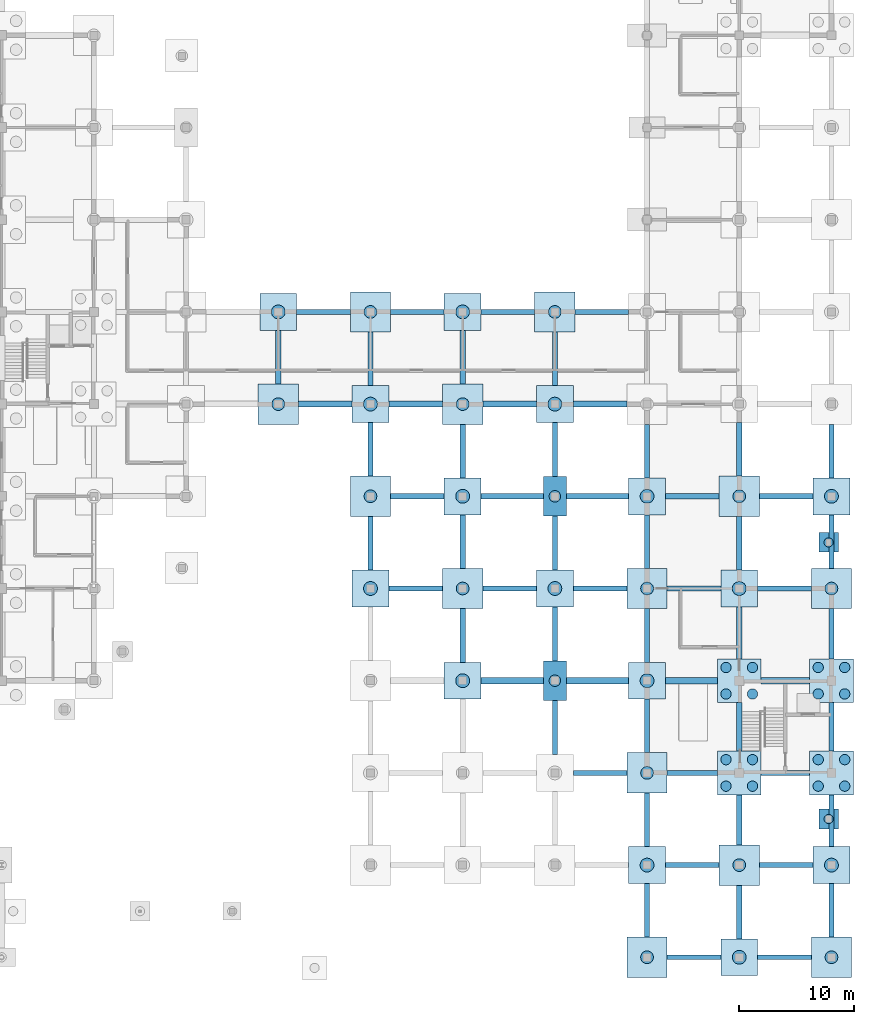
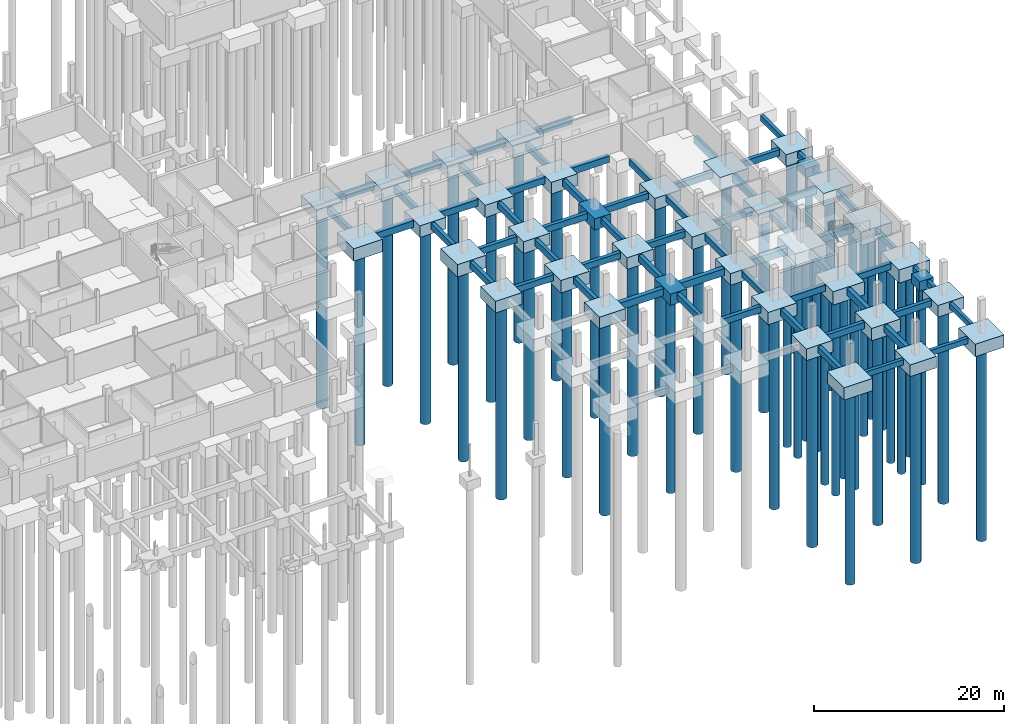
# One storey, part 9 of 48: 96 footings, 48 piles.
"""IFC4 building model written with IfcOpenShell, lengths in metres."""

from ifc_helpers import new_model, si_unit, derived_unit, direction, frame, origin, origin_2d, place, context, subcontext, project, spatial, rectangle, circle, extrude, material, material_profile, profile_set, type_object, element, save


model = new_model("IFC4")

# Units and contexts
model_context = context("Model", 3, precision=1e-05, world=origin(), true_north=direction((0.0, 1.0)))
body_context = subcontext(model_context, "Body", "Model", "MODEL_VIEW")
ifc_project = project(units=[si_unit("LENGTHUNIT", "METRE"), si_unit("AREAUNIT", "SQUARE_METRE"), si_unit("VOLUMEUNIT", "CUBIC_METRE"), si_unit("PLANEANGLEUNIT", "RADIAN"), si_unit("MASSUNIT", "GRAM", prefix="KILO"), derived_unit("THERMALTRANSMITTANCEUNIT", [(si_unit("MASSUNIT", "GRAM", prefix="KILO"), 1), (si_unit("TIMEUNIT", "SECOND"), -3), (si_unit("THERMODYNAMICTEMPERATUREUNIT", "KELVIN"), -1)])], contexts=[model_context])

# Site, building, storey
site_placement = place(None, origin())
site = spatial("IfcSite", under=ifc_project, at=site_placement, CompositionType="ELEMENT")
building_placement = place(site_placement, origin())
building = spatial("IfcBuilding", under=site, at=building_placement, Name="Veyamyaing Civic Hall", CompositionType="ELEMENT")
storey_placement = place(building_placement, frame((0.0, 0.0, -4.2900390625)))
storey = spatial("IfcBuildingStorey", under=building, at=storey_placement, Name="B1", CompositionType="ELEMENT", Elevation=-4.2900390625)

# Footings
ifc_material_1 = material(Name="Concrete C40/50", Category="concrete")
ifc_material_profile_1 = material_profile(ifc_material_1, rectangle(XDim=0.5, YDim=0.85009765625, at=origin_2d()), Name="GB-500X850")
ifc_profile_set_1 = profile_set([ifc_material_profile_1], Name="Concrete C40/50")
footing_type_1 = type_object("IfcFootingType", Name="GB-01", PredefinedType="FOOTING_BEAM", material=ifc_profile_set_1)
for number, where, z_axis, x_axis, name in (
    (1, (129.75, 48.0, -0.574951171875), (1.0, 0.0, 0.0), (0.0, 1.0, 0.0), "Footing tie beam GB-01 X 16-6"),
    (2, (137.60009765625, 48.0, -0.574951171875), (1.0, 0.0, 0.0), (0.0, 1.0, 0.0), "Footing tie beam GB-01 X 17-6"),
    (3, (145.75, 48.0, -0.574951171875), (1.0, 0.0, 0.0), (0.0, 1.0, 0.0), "Footing tie beam GB-01 X 18-6"),
    (4, (153.60009765625, 48.0, -0.574951171875), (1.0, 0.0, 0.0), (0.0, 1.0, 0.0), "Footing tie beam GB-01 X 19-6"),
    (5, (168.0, 1.60009765625, -0.574951171875), (0.0, 1.0, 0.0), (-1.0, 0.0, 0.0), "Footing tie beam GB-01 Y 21-0"),
):
    element("IfcFooting", number, at=place(storey_placement, frame(where, z_axis=z_axis, x_axis=x_axis)), inside=storey, type_object=footing_type_1, Name=name, PredefinedType="FOOTING_BEAM", context=body_context, shape_type="SweptSolid", body=[
        extrude(rectangle(XDim=0.5, YDim=0.85009765625, at=origin_2d()), origin(), (0.0, 0.0, 1.0), 4.64990234375),
    ])
footing_1_placement = place(storey_placement, frame((168.0, 9.75, -0.574951171875), z_axis=(0.0, 1.0, 0.0), x_axis=(-1.0, 0.0, 0.0)))
element("IfcFooting", 6, at=footing_1_placement, inside=storey, type_object=footing_type_1, Name="Footing tie beam GB-01 Y 21-1", PredefinedType="FOOTING_BEAM", context=body_context, shape_type="SweptSolid", body=[
    extrude(rectangle(XDim=0.5, YDim=0.85009765625, at=origin_2d()), origin(), (0.0, 0.0, 1.0), 4.35009765625),
])
footing_2_placement = place(storey_placement, frame((168.0, 17.89990234375, -0.574951171875), z_axis=(0.0, 1.0, 0.0), x_axis=(-1.0, 0.0, 0.0)))
element("IfcFooting", 7, at=footing_2_placement, inside=storey, type_object=footing_type_1, Name="Footing tie beam GB-01 Y 21-2", PredefinedType="FOOTING_BEAM", context=body_context, shape_type="SweptSolid", body=[
    extrude(rectangle(XDim=0.5, YDim=0.85009765625, at=origin_2d()), origin(), (0.0, 0.0, 1.0), 4.2001953125),
])
footing_3_placement = place(storey_placement, frame((168.0, 25.89990234375, -0.574951171875), z_axis=(0.0, 1.0, 0.0), x_axis=(-1.0, 0.0, 0.0)))
element("IfcFooting", 8, at=footing_3_placement, inside=storey, type_object=footing_type_1, Name="Footing tie beam GB-01 Y 21-3", PredefinedType="FOOTING_BEAM", context=body_context, shape_type="SweptSolid", body=[
    extrude(rectangle(XDim=0.5, YDim=0.85009765625, at=origin_2d()), origin(), (0.0, 0.0, 1.0), 4.5),
])
for number, where, z_axis, x_axis, name in (
    (9, (168.0, 33.60009765625, -0.574951171875), (0.0, 1.0, 0.0), (-1.0, 0.0, 0.0), "Footing tie beam GB-01 Y 21-4"),
    (10, (168.0, 41.75, -0.574951171875), (0.0, 1.0, 0.0), (-1.0, 0.0, 0.0), "Footing tie beam GB-01 Y 21-5"),
):
    element("IfcFooting", number, at=place(storey_placement, frame(where, z_axis=z_axis, x_axis=x_axis)), inside=storey, type_object=footing_type_1, Name=name, PredefinedType="FOOTING_BEAM", context=body_context, shape_type="SweptSolid", body=[
        extrude(rectangle(XDim=0.5, YDim=0.85009765625, at=origin_2d()), origin(), (0.0, 0.0, 1.0), 4.64990234375),
    ])
ifc_material_profile_2 = material_profile(ifc_material_1, rectangle(XDim=0.449951171875, YDim=0.800048828125, at=origin_2d()), Name="GB-450X800")
ifc_profile_set_2 = profile_set([ifc_material_profile_2], Name="Concrete C40/50")
footing_type_2 = type_object("IfcFootingType", Name="GB-02", PredefinedType="FOOTING_BEAM", material=ifc_profile_set_2)
for number, where, z_axis, x_axis, name in (
    (11, (128.0, 49.75, -0.550048828125), (0.0, 1.0, 0.0), (-1.0, 0.0, 0.0), "Footing tie beam GB-02 Y 16-6"),
    (12, (129.60009765625, 56.0, -0.550048828125), (1.0, 0.0, 0.0), (0.0, 1.0, 0.0), "Footing tie beam GB-02 X 16-7"),
    (13, (137.60009765625, 32.0, -0.550048828125), (1.0, 0.0, 0.0), (0.0, 1.0, 0.0), "Footing tie beam GB-02 X 17-4"),
    (14, (136.0, 33.60009765625, -0.550048828125), (0.0, 1.0, 0.0), (-1.0, 0.0, 0.0), "Footing tie beam GB-02 Y 17-4"),
    (15, (137.75, 40.0, -0.550048828125), (1.0, 0.0, 0.0), (0.0, 1.0, 0.0), "Footing tie beam GB-02 X 17-5"),
    (16, (136.0, 41.75, -0.550048828125), (0.0, 1.0, 0.0), (-1.0, 0.0, 0.0), "Footing tie beam GB-02 Y 17-5"),
    (17, (136.0, 49.60009765625, -0.550048828125), (0.0, 1.0, 0.0), (-1.0, 0.0, 0.0), "Footing tie beam GB-02 Y 17-6"),
    (18, (137.75, 56.0, -0.550048828125), (1.0, 0.0, 0.0), (0.0, 1.0, 0.0), "Footing tie beam GB-02 X 17-7"),
    (19, (144.0, 25.60009765625, -0.550048828125), (0.0, 1.0, 0.0), (-1.0, 0.0, 0.0), "Footing tie beam GB-02 Y 18-3"),
    (20, (145.75, 32.0, -0.550048828125), (1.0, 0.0, 0.0), (0.0, 1.0, 0.0), "Footing tie beam GB-02 X 18-4"),
    (21, (144.0, 33.75, -0.550048828125), (0.0, 1.0, 0.0), (-1.0, 0.0, 0.0), "Footing tie beam GB-02 Y 18-4"),
):
    element("IfcFooting", number, at=place(storey_placement, frame(where, z_axis=z_axis, x_axis=x_axis)), inside=storey, type_object=footing_type_2, Name=name, PredefinedType="FOOTING_BEAM", context=body_context, shape_type="SweptSolid", body=[
        extrude(rectangle(XDim=0.449951171875, YDim=0.800048828125, at=origin_2d()), origin(), (0.0, 0.0, 1.0), 4.64990234375),
    ])
footing_4_placement = place(storey_placement, frame((145.60009765625, 40.0, -0.550048828125), z_axis=(1.0, 0.0, 0.0), x_axis=(0.0, 1.0, 0.0)))
element("IfcFooting", 22, at=footing_4_placement, inside=storey, type_object=footing_type_2, Name="Footing tie beam GB-02 X 18-5", PredefinedType="FOOTING_BEAM", context=body_context, shape_type="SweptSolid", body=[
    extrude(rectangle(XDim=0.449951171875, YDim=0.800048828125, at=origin_2d()), origin(), (0.0, 0.0, 1.0), 5.39990234375),
])
for number, where, z_axis, x_axis, name in (
    (23, (144.0, 41.60009765625, -0.550048828125), (0.0, 1.0, 0.0), (-1.0, 0.0, 0.0), "Footing tie beam GB-02 Y 18-5"),
    (24, (144.0, 49.75, -0.550048828125), (0.0, 1.0, 0.0), (-1.0, 0.0, 0.0), "Footing tie beam GB-02 Y 18-6"),
    (25, (145.60009765625, 56.0, -0.550048828125), (1.0, 0.0, 0.0), (0.0, 1.0, 0.0), "Footing tie beam GB-02 X 18-7"),
    (26, (153.60009765625, 16.0, -0.550048828125), (1.0, 0.0, 0.0), (0.0, 1.0, 0.0), "Footing tie beam GB-02 X 19-2"),
):
    element("IfcFooting", number, at=place(storey_placement, frame(where, z_axis=z_axis, x_axis=x_axis)), inside=storey, type_object=footing_type_2, Name=name, PredefinedType="FOOTING_BEAM", context=body_context, shape_type="SweptSolid", body=[
        extrude(rectangle(XDim=0.449951171875, YDim=0.800048828125, at=origin_2d()), origin(), (0.0, 0.0, 1.0), 4.64990234375),
    ])
for number, where, z_axis, x_axis, name in (
    (27, (152.0, 17.60009765625, -0.550048828125), (0.0, 1.0, 0.0), (-1.0, 0.0, 0.0), "Footing tie beam GB-02 Y 19-2"),
    (28, (152.0, 25.699951171875, -0.550048828125), (0.0, 1.0, 0.0), (-1.0, 0.0, 0.0), "Footing tie beam GB-02 Y 19-3"),
):
    element("IfcFooting", number, at=place(storey_placement, frame(where, z_axis=z_axis, x_axis=x_axis)), inside=storey, type_object=footing_type_2, Name=name, PredefinedType="FOOTING_BEAM", context=body_context, shape_type="SweptSolid", body=[
        extrude(rectangle(XDim=0.449951171875, YDim=0.800048828125, at=origin_2d()), origin(), (0.0, 0.0, 1.0), 4.699951171875),
    ])
footing_5_placement = place(storey_placement, frame((153.60009765625, 32.0, -0.550048828125), z_axis=(1.0, 0.0, 0.0), x_axis=(0.0, 1.0, 0.0)))
element("IfcFooting", 29, at=footing_5_placement, inside=storey, type_object=footing_type_2, Name="Footing tie beam GB-02 X 19-4", PredefinedType="FOOTING_BEAM", context=body_context, shape_type="SweptSolid", body=[
    extrude(rectangle(XDim=0.449951171875, YDim=0.800048828125, at=origin_2d()), origin(), (0.0, 0.0, 1.0), 4.64990234375),
])
footing_6_placement = place(storey_placement, frame((152.0, 33.60009765625, -0.550048828125), z_axis=(0.0, 1.0, 0.0), x_axis=(-1.0, 0.0, 0.0)))
element("IfcFooting", 30, at=footing_6_placement, inside=storey, type_object=footing_type_2, Name="Footing tie beam GB-02 Y 19-4", PredefinedType="FOOTING_BEAM", context=body_context, shape_type="SweptSolid", body=[
    extrude(rectangle(XDim=0.449951171875, YDim=0.800048828125, at=origin_2d()), origin(), (0.0, 0.0, 1.0), 4.699951171875),
])
footing_7_placement = place(storey_placement, frame((153.0, 40.0, -0.550048828125), z_axis=(1.0, 0.0, 0.0), x_axis=(0.0, 1.0, 0.0)))
element("IfcFooting", 31, at=footing_7_placement, inside=storey, type_object=footing_type_2, Name="Footing tie beam GB-02 X 19-5", PredefinedType="FOOTING_BEAM", context=body_context, shape_type="SweptSolid", body=[
    extrude(rectangle(XDim=0.449951171875, YDim=0.800048828125, at=origin_2d()), origin(), (0.0, 0.0, 1.0), 5.39990234375),
])
footing_8_placement = place(storey_placement, frame((152.0, 41.699951171875, -0.550048828125), z_axis=(0.0, 1.0, 0.0), x_axis=(-1.0, 0.0, 0.0)))
element("IfcFooting", 32, at=footing_8_placement, inside=storey, type_object=footing_type_2, Name="Footing tie beam GB-02 Y 19-5", PredefinedType="FOOTING_BEAM", context=body_context, shape_type="SweptSolid", body=[
    extrude(rectangle(XDim=0.449951171875, YDim=0.800048828125, at=origin_2d()), origin(), (0.0, 0.0, 1.0), 4.699951171875),
])
for number, where, z_axis, x_axis, name in (
    (33, (152.0, 49.60009765625, -0.550048828125), (0.0, 1.0, 0.0), (-1.0, 0.0, 0.0), "Footing tie beam GB-02 Y 19-6"),
    (34, (153.75, 56.0, -0.550048828125), (1.0, 0.0, 0.0), (0.0, 1.0, 0.0), "Footing tie beam GB-02 X 19-7"),
    (35, (160.0, 1.75, -0.550048828125), (0.0, 1.0, 0.0), (-1.0, 0.0, 0.0), "Footing tie beam GB-02 Y 20-0"),
    (36, (161.60009765625, 8.0, -0.550048828125), (1.0, 0.0, 0.0), (0.0, 1.0, 0.0), "Footing tie beam GB-02 X 20-1"),
    (37, (160.0, 9.60009765625, -0.550048828125), (0.0, 1.0, 0.0), (-1.0, 0.0, 0.0), "Footing tie beam GB-02 Y 20-1"),
):
    element("IfcFooting", number, at=place(storey_placement, frame(where, z_axis=z_axis, x_axis=x_axis)), inside=storey, type_object=footing_type_2, Name=name, PredefinedType="FOOTING_BEAM", context=body_context, shape_type="SweptSolid", body=[
        extrude(rectangle(XDim=0.449951171875, YDim=0.800048828125, at=origin_2d()), origin(), (0.0, 0.0, 1.0), 4.64990234375),
    ])
footing_9_placement = place(storey_placement, frame((161.75, 16.0, -0.550048828125), z_axis=(1.0, 0.0, 0.0), x_axis=(0.0, 1.0, 0.0)))
element("IfcFooting", 38, at=footing_9_placement, inside=storey, type_object=footing_type_2, Name="Footing tie beam GB-02 X 20-2", PredefinedType="FOOTING_BEAM", context=body_context, shape_type="SweptSolid", body=[
    extrude(rectangle(XDim=0.449951171875, YDim=0.800048828125, at=origin_2d()), origin(), (0.0, 0.0, 1.0), 4.35009765625),
])
for number, where, z_axis, x_axis, name in (
    (39, (160.0, 17.75, -0.550048828125), (0.0, 1.0, 0.0), (-1.0, 0.0, 0.0), "Footing tie beam GB-02 Y 20-2"),
    (40, (160.0, 25.60009765625, -0.550048828125), (0.0, 1.0, 0.0), (-1.0, 0.0, 0.0), "Footing tie beam GB-02 Y 20-3"),
    (41, (161.75, 32.0, -0.550048828125), (1.0, 0.0, 0.0), (0.0, 1.0, 0.0), "Footing tie beam GB-02 X 20-4"),
    (42, (160.0, 33.75, -0.550048828125), (0.0, 1.0, 0.0), (-1.0, 0.0, 0.0), "Footing tie beam GB-02 Y 20-4"),
    (43, (161.60009765625, 40.0, -0.550048828125), (1.0, 0.0, 0.0), (0.0, 1.0, 0.0), "Footing tie beam GB-02 X 20-5"),
    (44, (160.0, 41.60009765625, -0.550048828125), (0.0, 1.0, 0.0), (-1.0, 0.0, 0.0), "Footing tie beam GB-02 Y 20-5"),
    (45, (169.75, 8.0, -0.550048828125), (1.0, 0.0, 0.0), (0.0, 1.0, 0.0), "Footing tie beam GB-02 X 21-1"),
):
    element("IfcFooting", number, at=place(storey_placement, frame(where, z_axis=z_axis, x_axis=x_axis)), inside=storey, type_object=footing_type_2, Name=name, PredefinedType="FOOTING_BEAM", context=body_context, shape_type="SweptSolid", body=[
        extrude(rectangle(XDim=0.449951171875, YDim=0.800048828125, at=origin_2d()), origin(), (0.0, 0.0, 1.0), 4.64990234375),
    ])
footing_10_placement = place(storey_placement, frame((169.89990234375, 16.0, -0.550048828125), z_axis=(1.0, 0.0, 0.0), x_axis=(0.0, 1.0, 0.0)))
element("IfcFooting", 46, at=footing_10_placement, inside=storey, type_object=footing_type_2, Name="Footing tie beam GB-02 X 21-2", PredefinedType="FOOTING_BEAM", context=body_context, shape_type="SweptSolid", body=[
    extrude(rectangle(XDim=0.449951171875, YDim=0.800048828125, at=origin_2d()), origin(), (0.0, 0.0, 1.0), 4.2001953125),
])
for number, where, z_axis, x_axis, name in (
    (47, (169.60009765625, 32.0, -0.550048828125), (1.0, 0.0, 0.0), (0.0, 1.0, 0.0), "Footing tie beam GB-02 X 21-4"),
    (48, (169.75, 40.0, -0.550048828125), (1.0, 0.0, 0.0), (0.0, 1.0, 0.0), "Footing tie beam GB-02 X 21-5"),
):
    element("IfcFooting", number, at=place(storey_placement, frame(where, z_axis=z_axis, x_axis=x_axis)), inside=storey, type_object=footing_type_2, Name=name, PredefinedType="FOOTING_BEAM", context=body_context, shape_type="SweptSolid", body=[
        extrude(rectangle(XDim=0.449951171875, YDim=0.800048828125, at=origin_2d()), origin(), (0.0, 0.0, 1.0), 4.64990234375),
    ])
ifc_material_profile_3 = material_profile(ifc_material_1, rectangle(XDim=0.39990234375, YDim=0.699951171875, at=origin_2d()), Name="GB-400X700")
ifc_profile_set_3 = profile_set([ifc_material_profile_3], Name="Concrete C40/50")
footing_type_3 = type_object("IfcFootingType", Name="GB-03", PredefinedType="FOOTING_BEAM", material=ifc_profile_set_3)
for number, where, z_axis, x_axis, name in (
    (49, (161.75, 0.0, -0.5), (1.0, 0.0, 0.0), (0.0, 1.0, 0.0), "Footing tie beam GB-03 X 20-0"),
    (50, (169.60009765625, 0.0, -0.5), (1.0, 0.0, 0.0), (0.0, 1.0, 0.0), "Footing tie beam GB-03 X 21-0"),
    (51, (176.0, 1.75, -0.5), (0.0, 1.0, 0.0), (-1.0, 0.0, 0.0), "Footing tie beam GB-03 Y 22-0"),
):
    element("IfcFooting", number, at=place(storey_placement, frame(where, z_axis=z_axis, x_axis=x_axis)), inside=storey, type_object=footing_type_3, Name=name, PredefinedType="FOOTING_BEAM", context=body_context, shape_type="SweptSolid", body=[
        extrude(rectangle(XDim=0.39990234375, YDim=0.699951171875, at=origin_2d()), origin(), (0.0, 0.0, 1.0), 4.64990234375),
    ])
footing_11_placement = place(storey_placement, frame((176.0, 9.60009765625, -0.5), z_axis=(0.0, 1.0, 0.0), x_axis=(-1.0, 0.0, 0.0)))
element("IfcFooting", 52, at=footing_11_placement, inside=storey, type_object=footing_type_3, Name="Footing tie beam GB-03 Y 22-1", PredefinedType="FOOTING_BEAM", context=body_context, shape_type="SweptSolid", body=[
    extrude(rectangle(XDim=0.39990234375, YDim=0.699951171875, at=origin_2d()), origin(), (0.0, 0.0, 1.0), 4.5),
])
footing_12_placement = place(storey_placement, frame((176.0, 17.89990234375, -0.5), z_axis=(0.0, 1.0, 0.0), x_axis=(-1.0, 0.0, 0.0)))
element("IfcFooting", 53, at=footing_12_placement, inside=storey, type_object=footing_type_3, Name="Footing tie beam GB-03 Y 22-2", PredefinedType="FOOTING_BEAM", context=body_context, shape_type="SweptSolid", body=[
    extrude(rectangle(XDim=0.39990234375, YDim=0.699951171875, at=origin_2d()), origin(), (0.0, 0.0, 1.0), 4.2001953125),
])
footing_13_placement = place(storey_placement, frame((176.0, 25.89990234375, -0.5), z_axis=(0.0, 1.0, 0.0), x_axis=(-1.0, 0.0, 0.0)))
element("IfcFooting", 54, at=footing_13_placement, inside=storey, type_object=footing_type_3, Name="Footing tie beam GB-03 Y 22-3", PredefinedType="FOOTING_BEAM", context=body_context, shape_type="SweptSolid", body=[
    extrude(rectangle(XDim=0.39990234375, YDim=0.699951171875, at=origin_2d()), origin(), (0.0, 0.0, 1.0), 4.35009765625),
])
for number, where, z_axis, x_axis, name in (
    (55, (176.0, 33.75, -0.5), (0.0, 1.0, 0.0), (-1.0, 0.0, 0.0), "Footing tie beam GB-03 Y 22-4"),
    (56, (176.0, 41.60009765625, -0.5), (0.0, 1.0, 0.0), (-1.0, 0.0, 0.0), "Footing tie beam GB-03 Y 22-5"),
):
    element("IfcFooting", number, at=place(storey_placement, frame(where, z_axis=z_axis, x_axis=x_axis)), inside=storey, type_object=footing_type_3, Name=name, PredefinedType="FOOTING_BEAM", context=body_context, shape_type="SweptSolid", body=[
        extrude(rectangle(XDim=0.39990234375, YDim=0.699951171875, at=origin_2d()), origin(), (0.0, 0.0, 1.0), 4.64990234375),
    ])
ifc_material_profile_4 = material_profile(ifc_material_1, rectangle(XDim=0.550048828125, YDim=0.89990234375, at=origin_2d()), Name="GB-550X900")
ifc_profile_set_4 = profile_set([ifc_material_profile_4], Name="Concrete C40/50")
footing_type_4 = type_object("IfcFootingType", Name="GB-04", PredefinedType="FOOTING_BEAM", material=ifc_profile_set_4)
for number, where, z_axis, x_axis, name in (
    (57, (145.60009765625, 24.0, -0.599853515625), (1.0, 0.0, 0.0), (0.0, 1.0, 0.0), "Footing tie beam GB-04 X 18-3"),
    (58, (153.0, 24.0, -0.599853515625), (1.0, 0.0, 0.0), (0.0, 1.0, 0.0), "Footing tie beam GB-04 X 19-3"),
):
    element("IfcFooting", number, at=place(storey_placement, frame(where, z_axis=z_axis, x_axis=x_axis)), inside=storey, type_object=footing_type_4, Name=name, PredefinedType="FOOTING_BEAM", context=body_context, shape_type="SweptSolid", body=[
        extrude(rectangle(XDim=0.550048828125, YDim=0.89990234375, at=origin_2d()), origin(), (0.0, 0.0, 1.0), 5.39990234375),
    ])
footing_14_placement = place(storey_placement, frame((161.60009765625, 24.0, -0.599853515625), z_axis=(1.0, 0.0, 0.0), x_axis=(0.0, 1.0, 0.0)))
element("IfcFooting", 59, at=footing_14_placement, inside=storey, type_object=footing_type_4, Name="Footing tie beam GB-04 X 20-3", PredefinedType="FOOTING_BEAM", context=body_context, shape_type="SweptSolid", body=[
    extrude(rectangle(XDim=0.550048828125, YDim=0.89990234375, at=origin_2d()), origin(), (0.0, 0.0, 1.0), 4.5),
])
footing_15_placement = place(storey_placement, frame((169.89990234375, 24.0, -0.599853515625), z_axis=(1.0, 0.0, 0.0), x_axis=(0.0, 1.0, 0.0)))
element("IfcFooting", 60, at=footing_15_placement, inside=storey, type_object=footing_type_4, Name="Footing tie beam GB-04 X 21-3", PredefinedType="FOOTING_BEAM", context=body_context, shape_type="SweptSolid", body=[
    extrude(rectangle(XDim=0.550048828125, YDim=0.89990234375, at=origin_2d()), origin(), (0.0, 0.0, 1.0), 4.2001953125),
])

# Piles
ifc_material_2 = material(Name="Concrete C35/45", Category="concrete")
ifc_material_profile_5 = material_profile(ifc_material_2, circle(Radius=0.60009765625, at=origin_2d()), Name="PILE-D1200")
ifc_profile_set_5 = profile_set([ifc_material_profile_5], Name="Concrete C35/45")
pile_type_1 = type_object("IfcPileType", Name="P-01", PredefinedType="BORED", material=ifc_profile_set_5)
for number, where, z_axis, x_axis, name in (
    (61, (128.0, 56.0, -1.39990234375), (0.0, 0.0, -1.0), (1.0, 0.0, 0.0), "Bored pile P-01 G16-07.1"),
    (62, (136.0, 32.0, -1.39990234375), (0.0, 0.0, -1.0), (1.0, 0.0, 0.0), "Bored pile P-01 G17-04.1"),
    (63, (136.0, 48.0, -1.39990234375), (0.0, 0.0, -1.0), (1.0, 0.0, 0.0), "Bored pile P-01 G17-06.1"),
    (64, (144.0, 24.0, -1.39990234375), (0.0, 0.0, -1.0), (1.0, 0.0, 0.0), "Bored pile P-01 G18-03.1"),
    (65, (144.0, 40.0, -1.39990234375), (0.0, 0.0, -1.0), (1.0, 0.0, 0.0), "Bored pile P-01 G18-05.1"),
    (66, (144.0, 56.0, -1.39990234375), (0.0, 0.0, -1.0), (1.0, 0.0, 0.0), "Bored pile P-01 G18-07.1"),
    (67, (152.0, 32.0, -1.39990234375), (0.0, 0.0, -1.0), (1.0, 0.0, 0.0), "Bored pile P-01 G19-04.1"),
    (68, (152.0, 48.0, -1.39990234375), (0.0, 0.0, -1.0), (1.0, 0.0, 0.0), "Bored pile P-01 G19-06.1"),
    (69, (160.0, 8.0, -1.39990234375), (0.0, 0.0, -1.0), (1.0, 0.0, 0.0), "Bored pile P-01 G20-01.1"),
    (70, (160.0, 24.0, -1.39990234375), (0.0, 0.0, -1.0), (1.0, 0.0, 0.0), "Bored pile P-01 G20-03.1"),
    (71, (160.0, 40.0, -1.39990234375), (0.0, 0.0, -1.0), (1.0, 0.0, 0.0), "Bored pile P-01 G20-05.1"),
    (72, (168.0, 0.0, -1.39990234375), (0.0, 0.0, -1.0), (1.0, 0.0, 0.0), "Bored pile P-01 G21-00.1"),
    (73, (168.0, 32.0, -1.39990234375), (0.0, 0.0, -1.0), (1.0, 0.0, 0.0), "Bored pile P-01 G21-04.1"),
    (74, (176.0, 8.0, -1.39990234375), (0.0, 0.0, -1.0), (1.0, 0.0, 0.0), "Bored pile P-01 G22-01.1"),
    (75, (176.0, 40.0, -1.39990234375), (0.0, 0.0, -1.0), (1.0, 0.0, 0.0), "Bored pile P-01 G22-05.1"),
):
    element("IfcPile", number, at=place(storey_placement, frame(where, z_axis=z_axis, x_axis=x_axis)), inside=storey, type_object=pile_type_1, Name=name, PredefinedType="BORED", context=body_context, shape_type="SweptSolid", body=[
        extrude(circle(Radius=0.60009765625, at=origin_2d()), origin(), (0.0, 0.0, 1.0), 25.31005859375),
    ])
ifc_material_profile_6 = material_profile(ifc_material_2, circle(Radius=0.550048828125, at=origin_2d()), Name="PILE-D1100")
ifc_profile_set_6 = profile_set([ifc_material_profile_6], Name="Concrete C35/45")
pile_type_2 = type_object("IfcPileType", Name="P-02", PredefinedType="BORED", material=ifc_profile_set_6)
for number, where, z_axis, x_axis, name in (
    (76, (128.0, 48.0, -1.5), (0.0, 0.0, -1.0), (1.0, 0.0, 0.0), "Bored pile P-02 G16-06.1"),
    (77, (136.0, 40.0, -1.5), (0.0, 0.0, -1.0), (1.0, 0.0, 0.0), "Bored pile P-02 G17-05.1"),
    (78, (136.0, 56.0, -1.5), (0.0, 0.0, -1.0), (1.0, 0.0, 0.0), "Bored pile P-02 G17-07.1"),
    (79, (144.0, 32.0, -1.5), (0.0, 0.0, -1.0), (1.0, 0.0, 0.0), "Bored pile P-02 G18-04.1"),
    (80, (144.0, 48.0, -1.5), (0.0, 0.0, -1.0), (1.0, 0.0, 0.0), "Bored pile P-02 G18-06.1"),
    (81, (152.0, 56.0, -1.5), (0.0, 0.0, -1.0), (1.0, 0.0, 0.0), "Bored pile P-02 G19-07.1"),
    (82, (160.0, 0.0, -1.5), (0.0, 0.0, -1.0), (1.0, 0.0, 0.0), "Bored pile P-02 G20-00.1"),
    (83, (160.0, 16.0, -1.5), (0.0, 0.0, -1.0), (1.0, 0.0, 0.0), "Bored pile P-02 G20-02.1"),
    (84, (160.0, 32.0, -1.5), (0.0, 0.0, -1.0), (1.0, 0.0, 0.0), "Bored pile P-02 G20-04.1"),
    (85, (168.0, 8.0, -1.5), (0.0, 0.0, -1.0), (1.0, 0.0, 0.0), "Bored pile P-02 G21-01.1"),
    (86, (168.0, 40.0, -1.5), (0.0, 0.0, -1.0), (1.0, 0.0, 0.0), "Bored pile P-02 G21-05.1"),
    (87, (176.0, 0.0, -1.5), (0.0, 0.0, -1.0), (1.0, 0.0, 0.0), "Bored pile P-02 G22-00.1"),
    (88, (176.0, 32.0, -1.5), (0.0, 0.0, -1.0), (1.0, 0.0, 0.0), "Bored pile P-02 G22-04.1"),
):
    element("IfcPile", number, at=place(storey_placement, frame(where, z_axis=z_axis, x_axis=x_axis)), inside=storey, type_object=pile_type_2, Name=name, PredefinedType="BORED", context=body_context, shape_type="SweptSolid", body=[
        extrude(circle(Radius=0.550048828125, at=origin_2d()), origin(), (0.0, 0.0, 1.0), 25.2099609375),
    ])
ifc_material_profile_7 = material_profile(ifc_material_2, circle(Radius=0.5, at=origin_2d()), Name="PILE-D1000")
ifc_profile_set_7 = profile_set([ifc_material_profile_7], Name="Concrete C35/45")
pile_type_3 = type_object("IfcPileType", Name="P-03", PredefinedType="BORED", material=ifc_profile_set_7)
for number, where, z_axis, x_axis, name in (
    (89, (152.0, 24.0, -1.349853515625), (0.0, 0.0, -1.0), (1.0, 0.0, 0.0), "Bored pile P-03 G19-03.1"),
    (90, (152.0, 40.0, -1.349853515625), (0.0, 0.0, -1.0), (1.0, 0.0, 0.0), "Bored pile P-03 G19-05.1"),
):
    element("IfcPile", number, at=place(storey_placement, frame(where, z_axis=z_axis, x_axis=x_axis)), inside=storey, type_object=pile_type_3, Name=name, PredefinedType="BORED", context=body_context, shape_type="SweptSolid", body=[
        extrude(circle(Radius=0.5, at=origin_2d()), origin(), (0.0, 0.0, 1.0), 25.360107421875),
    ])
ifc_material_profile_8 = material_profile(ifc_material_2, circle(Radius=0.449951171875, at=origin_2d()), Name="PILE-D900")
ifc_profile_set_8 = profile_set([ifc_material_profile_8], Name="Concrete C35/45")
pile_type_4 = type_object("IfcPileType", Name="P-04", PredefinedType="BORED", material=ifc_profile_set_8)
for number, where, z_axis, x_axis, name in (
    (91, (166.85009765625, 14.85009765625, -1.599853515625), (0.0, 0.0, -1.0), (1.0, 0.0, 0.0), "Bored pile P-04 G21-02.1"),
    (92, (166.85009765625, 17.14990234375, -1.599853515625), (0.0, 0.0, -1.0), (1.0, 0.0, 0.0), "Bored pile P-04 G21-02.2"),
    (93, (169.14990234375, 14.85009765625, -1.599853515625), (0.0, 0.0, -1.0), (1.0, 0.0, 0.0), "Bored pile P-04 G21-02.3"),
    (94, (169.14990234375, 17.14990234375, -1.599853515625), (0.0, 0.0, -1.0), (1.0, 0.0, 0.0), "Bored pile P-04 G21-02.4"),
    (95, (166.85009765625, 22.85009765625, -1.599853515625), (0.0, 0.0, -1.0), (1.0, 0.0, 0.0), "Bored pile P-04 G21-03.1"),
    (96, (166.85009765625, 25.14990234375, -1.599853515625), (0.0, 0.0, -1.0), (1.0, 0.0, 0.0), "Bored pile P-04 G21-03.2"),
    (97, (169.14990234375, 22.85009765625, -1.599853515625), (0.0, 0.0, -1.0), (1.0, 0.0, 0.0), "Bored pile P-04 G21-03.3"),
    (98, (169.14990234375, 25.14990234375, -1.599853515625), (0.0, 0.0, -1.0), (1.0, 0.0, 0.0), "Bored pile P-04 G21-03.4"),
    (99, (174.85009765625, 14.85009765625, -1.599853515625), (0.0, 0.0, -1.0), (1.0, 0.0, 0.0), "Bored pile P-04 G22-02.1"),
    (100, (174.85009765625, 17.14990234375, -1.599853515625), (0.0, 0.0, -1.0), (1.0, 0.0, 0.0), "Bored pile P-04 G22-02.2"),
    (101, (177.14990234375, 14.85009765625, -1.599853515625), (0.0, 0.0, -1.0), (1.0, 0.0, 0.0), "Bored pile P-04 G22-02.3"),
    (102, (177.14990234375, 17.14990234375, -1.599853515625), (0.0, 0.0, -1.0), (1.0, 0.0, 0.0), "Bored pile P-04 G22-02.4"),
    (103, (174.85009765625, 22.85009765625, -1.599853515625), (0.0, 0.0, -1.0), (1.0, 0.0, 0.0), "Bored pile P-04 G22-03.1"),
    (104, (174.85009765625, 25.14990234375, -1.599853515625), (0.0, 0.0, -1.0), (1.0, 0.0, 0.0), "Bored pile P-04 G22-03.2"),
    (105, (177.14990234375, 22.85009765625, -1.599853515625), (0.0, 0.0, -1.0), (1.0, 0.0, 0.0), "Bored pile P-04 G22-03.3"),
    (106, (177.14990234375, 25.14990234375, -1.599853515625), (0.0, 0.0, -1.0), (1.0, 0.0, 0.0), "Bored pile P-04 G22-03.4"),
):
    element("IfcPile", number, at=place(storey_placement, frame(where, z_axis=z_axis, x_axis=x_axis)), inside=storey, type_object=pile_type_4, Name=name, PredefinedType="BORED", context=body_context, shape_type="SweptSolid", body=[
        extrude(circle(Radius=0.449951171875, at=origin_2d()), origin(), (0.0, 0.0, 1.0), 25.110107421875),
    ])
ifc_material_profile_9 = material_profile(ifc_material_2, circle(Radius=0.39990234375, at=origin_2d()), Name="PILE-D800")
ifc_profile_set_9 = profile_set([ifc_material_profile_9], Name="Concrete C35/45")
pile_type_5 = type_object("IfcPileType", Name="P-05", PredefinedType="BORED", material=ifc_profile_set_9)
for number, where, z_axis, x_axis, name in (
    (107, (175.75, 12.0, -1.099853515625), (0.0, 0.0, -1.0), (1.0, 0.0, 0.0), "Bored pile P-05 PIL-E-01.1"),
    (108, (175.75, 36.0, -1.099853515625), (0.0, 0.0, -1.0), (1.0, 0.0, 0.0), "Bored pile P-05 PIL-E-04.1"),
):
    element("IfcPile", number, at=place(storey_placement, frame(where, z_axis=z_axis, x_axis=x_axis)), inside=storey, type_object=pile_type_5, Name=name, PredefinedType="BORED", context=body_context, shape_type="SweptSolid", body=[
        extrude(circle(Radius=0.39990234375, at=origin_2d()), origin(), (0.0, 0.0, 1.0), 25.610107421875),
    ])

# Footings
footing_type_5 = type_object("IfcFootingType", Name="PC-01", PredefinedType="PILE_CAP", material=ifc_material_1)
for number, where, z_axis, x_axis, name in (
    (109, (168.0, 16.0, -1.69970703125), (0.0, 0.0, 1.0), (1.0, 0.0, 0.0), "Pile cap PC-01 G21-02"),
    (110, (168.0, 24.0, -1.69970703125), (0.0, 0.0, 1.0), (1.0, 0.0, 0.0), "Pile cap PC-01 G21-03"),
    (111, (176.0, 16.0, -1.69970703125), (0.0, 0.0, 1.0), (1.0, 0.0, 0.0), "Pile cap PC-01 G22-02"),
    (112, (176.0, 24.0, -1.69970703125), (0.0, 0.0, 1.0), (1.0, 0.0, 0.0), "Pile cap PC-01 G22-03"),
):
    element("IfcFooting", number, at=place(storey_placement, frame(where, z_axis=z_axis, x_axis=x_axis)), inside=storey, type_object=footing_type_5, Name=name, PredefinedType="PILE_CAP", context=body_context, shape_type="SweptSolid", body=[
        extrude(rectangle(XDim=3.800048828125, YDim=3.800048828125, at=origin_2d()), origin(), (0.0, 0.0, 1.0), 1.699951171875),
    ])
footing_type_6 = type_object("IfcFootingType", Name="PC-02", PredefinedType="PILE_CAP", material=ifc_material_1)
for number, where, z_axis, x_axis, name in (
    (113, (128.0, 48.0, -1.60009765625), (0.0, 0.0, 1.0), (1.0, 0.0, 0.0), "Pile cap PC-02 G16-06"),
    (114, (136.0, 40.0, -1.60009765625), (0.0, 0.0, 1.0), (1.0, 0.0, 0.0), "Pile cap PC-02 G17-05"),
    (115, (136.0, 56.0, -1.60009765625), (0.0, 0.0, 1.0), (1.0, 0.0, 0.0), "Pile cap PC-02 G17-07"),
    (116, (144.0, 32.0, -1.60009765625), (0.0, 0.0, 1.0), (1.0, 0.0, 0.0), "Pile cap PC-02 G18-04"),
    (117, (144.0, 48.0, -1.60009765625), (0.0, 0.0, 1.0), (1.0, 0.0, 0.0), "Pile cap PC-02 G18-06"),
    (118, (152.0, 56.0, -1.60009765625), (0.0, 0.0, 1.0), (1.0, 0.0, 0.0), "Pile cap PC-02 G19-07"),
    (119, (160.0, 0.0, -1.60009765625), (0.0, 0.0, 1.0), (1.0, 0.0, 0.0), "Pile cap PC-02 G20-00"),
    (120, (160.0, 16.0, -1.60009765625), (0.0, 0.0, 1.0), (1.0, 0.0, 0.0), "Pile cap PC-02 G20-02"),
    (121, (160.0, 32.0, -1.60009765625), (0.0, 0.0, 1.0), (1.0, 0.0, 0.0), "Pile cap PC-02 G20-04"),
    (122, (168.0, 8.0, -1.60009765625), (0.0, 0.0, 1.0), (1.0, 0.0, 0.0), "Pile cap PC-02 G21-01"),
    (123, (168.0, 40.0, -1.60009765625), (0.0, 0.0, 1.0), (1.0, 0.0, 0.0), "Pile cap PC-02 G21-05"),
    (124, (176.0, 0.0, -1.60009765625), (0.0, 0.0, 1.0), (1.0, 0.0, 0.0), "Pile cap PC-02 G22-00"),
    (125, (176.0, 32.0, -1.60009765625), (0.0, 0.0, 1.0), (1.0, 0.0, 0.0), "Pile cap PC-02 G22-04"),
):
    element("IfcFooting", number, at=place(storey_placement, frame(where, z_axis=z_axis, x_axis=x_axis)), inside=storey, type_object=footing_type_6, Name=name, PredefinedType="PILE_CAP", context=body_context, shape_type="SweptSolid", body=[
        extrude(rectangle(XDim=3.5, YDim=3.5, at=origin_2d()), origin(), (0.0, 0.0, 1.0), 1.60009765625),
    ])
footing_type_7 = type_object("IfcFootingType", Name="PC-03", PredefinedType="PILE_CAP", material=ifc_material_1)
for number, where, z_axis, x_axis, name in (
    (126, (128.0, 56.0, -1.5), (0.0, 0.0, 1.0), (1.0, 0.0, 0.0), "Pile cap PC-03 G16-07"),
    (127, (136.0, 32.0, -1.5), (0.0, 0.0, 1.0), (1.0, 0.0, 0.0), "Pile cap PC-03 G17-04"),
    (128, (136.0, 48.0, -1.5), (0.0, 0.0, 1.0), (1.0, 0.0, 0.0), "Pile cap PC-03 G17-06"),
    (129, (144.0, 24.0, -1.5), (0.0, 0.0, 1.0), (1.0, 0.0, 0.0), "Pile cap PC-03 G18-03"),
    (130, (144.0, 40.0, -1.5), (0.0, 0.0, 1.0), (1.0, 0.0, 0.0), "Pile cap PC-03 G18-05"),
    (131, (144.0, 56.0, -1.5), (0.0, 0.0, 1.0), (1.0, 0.0, 0.0), "Pile cap PC-03 G18-07"),
    (132, (152.0, 32.0, -1.5), (0.0, 0.0, 1.0), (1.0, 0.0, 0.0), "Pile cap PC-03 G19-04"),
    (133, (152.0, 48.0, -1.5), (0.0, 0.0, 1.0), (1.0, 0.0, 0.0), "Pile cap PC-03 G19-06"),
    (134, (160.0, 8.0, -1.5), (0.0, 0.0, 1.0), (1.0, 0.0, 0.0), "Pile cap PC-03 G20-01"),
    (135, (160.0, 24.0, -1.5), (0.0, 0.0, 1.0), (1.0, 0.0, 0.0), "Pile cap PC-03 G20-03"),
    (136, (160.0, 40.0, -1.5), (0.0, 0.0, 1.0), (1.0, 0.0, 0.0), "Pile cap PC-03 G20-05"),
    (137, (168.0, 0.0, -1.5), (0.0, 0.0, 1.0), (1.0, 0.0, 0.0), "Pile cap PC-03 G21-00"),
    (138, (168.0, 32.0, -1.5), (0.0, 0.0, 1.0), (1.0, 0.0, 0.0), "Pile cap PC-03 G21-04"),
    (139, (176.0, 8.0, -1.5), (0.0, 0.0, 1.0), (1.0, 0.0, 0.0), "Pile cap PC-03 G22-01"),
    (140, (176.0, 40.0, -1.5), (0.0, 0.0, 1.0), (1.0, 0.0, 0.0), "Pile cap PC-03 G22-05"),
):
    element("IfcFooting", number, at=place(storey_placement, frame(where, z_axis=z_axis, x_axis=x_axis)), inside=storey, type_object=footing_type_7, Name=name, PredefinedType="PILE_CAP", context=body_context, shape_type="SweptSolid", body=[
        extrude(rectangle(XDim=3.199951171875, YDim=3.199951171875, at=origin_2d()), origin(), (0.0, 0.0, 1.0), 1.5),
    ])
footing_type_8 = type_object("IfcFootingType", Name="PC-05", PredefinedType="PILE_CAP", material=ifc_material_1)
for number, where, z_axis, x_axis, name in (
    (141, (152.0, 24.0, -1.44970703125), (0.0, 0.0, 1.0), (1.0, 0.0, 0.0), "Pile cap PC-05 G19-03"),
    (142, (152.0, 40.0, -1.44970703125), (0.0, 0.0, 1.0), (1.0, 0.0, 0.0), "Pile cap PC-05 G19-05"),
):
    element("IfcFooting", number, at=place(storey_placement, frame(where, z_axis=z_axis, x_axis=x_axis)), inside=storey, type_object=footing_type_8, Name=name, PredefinedType="PILE_CAP", context=body_context, shape_type="SweptSolid", body=[
        extrude(rectangle(XDim=2.0, YDim=3.39990234375, at=origin_2d()), origin(), (0.0, 0.0, 1.0), 1.449951171875),
    ])
footing_type_9 = type_object("IfcFootingType", Name="PC-10", PredefinedType="PILE_CAP", material=ifc_material_1)
for number, where, z_axis, x_axis, name in (
    (143, (175.75, 12.0, -1.19970703125), (0.0, 0.0, 1.0), (1.0, 0.0, 0.0), "Pile cap PC-10 PIL-E-01"),
    (144, (175.75, 36.0, -1.19970703125), (0.0, 0.0, 1.0), (1.0, 0.0, 0.0), "Pile cap PC-10 PIL-E-04"),
):
    element("IfcFooting", number, at=place(storey_placement, frame(where, z_axis=z_axis, x_axis=x_axis)), inside=storey, type_object=footing_type_9, Name=name, PredefinedType="PILE_CAP", context=body_context, shape_type="SweptSolid", body=[
        extrude(rectangle(XDim=1.699951171875, YDim=1.699951171875, at=origin_2d()), origin(), (0.0, 0.0, 1.0), 1.199951171875),
    ])

save(model, "model.ifc")
